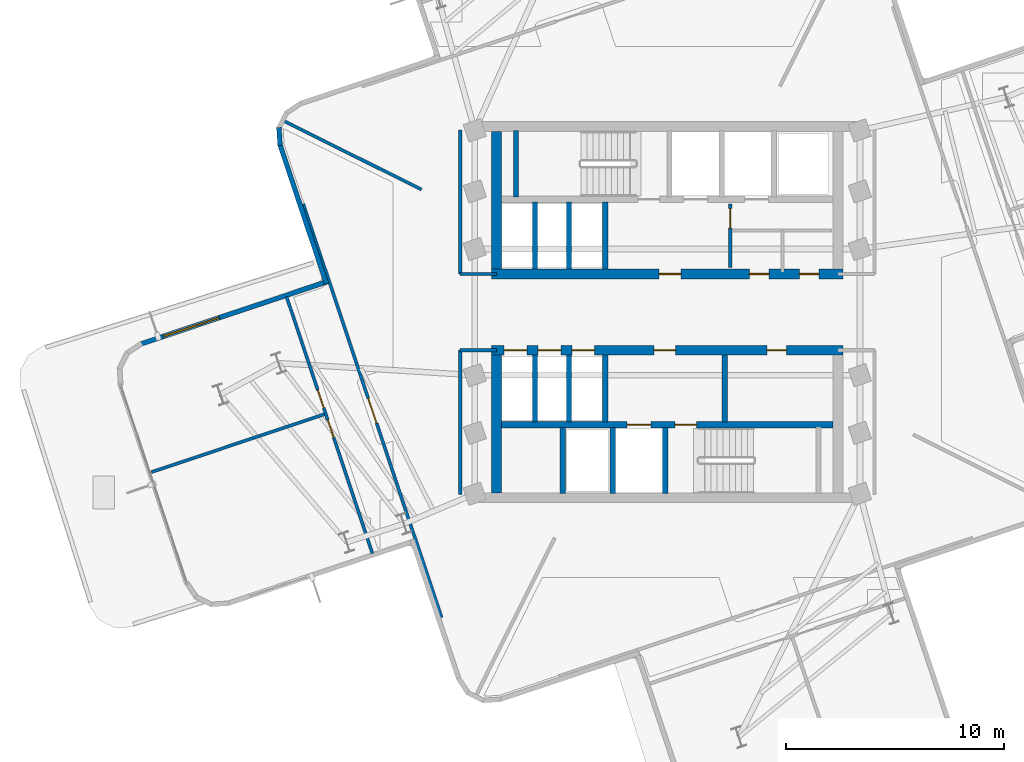
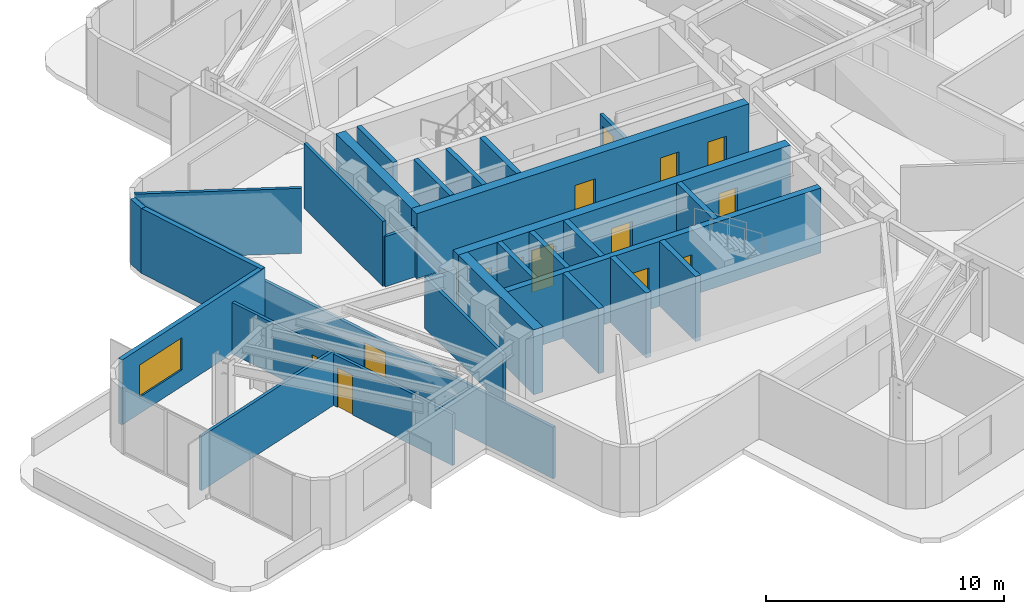
# One storey, part 6 of 11: 28 walls, 14 doors, 1 window, 15 openings.
"""IFC4 building model written with IfcOpenShell, lengths in metres."""

from ifc_helpers import new_model, si_unit, direction, frame, frame_2d, origin, place, context, subcontext, project, spatial, rectangle, extrude, material, layer, layer_set, type_object, element, fill, save


model = new_model("IFC4")

# Units and contexts
model_context = context("Model", 3, precision=1e-05, world=origin(), true_north=direction((0.0, 1.0)))
body_context = subcontext(model_context, "Body", "Model", "MODEL_VIEW")
ifc_project = project(units=[si_unit("LENGTHUNIT", "METRE"), si_unit("AREAUNIT", "SQUARE_METRE"), si_unit("VOLUMEUNIT", "CUBIC_METRE"), si_unit("PLANEANGLEUNIT", "RADIAN"), si_unit("MASSUNIT", "GRAM", prefix="KILO")], contexts=[model_context])

# Site, building, storey
site_placement = place(None, origin())
site = spatial("IfcSite", under=ifc_project, at=site_placement, CompositionType="ELEMENT")
building_placement = place(site_placement, origin())
building = spatial("IfcBuilding", under=site, at=building_placement, Name="Solmarez Civic Tower", CompositionType="ELEMENT")
storey_placement = place(building_placement, frame((0.0, 0.0, 155.8798828125)))
storey = spatial("IfcBuildingStorey", under=building, at=storey_placement, Name="L41", CompositionType="ELEMENT", Elevation=155.8798828125)

# Wall, openings, doors
ifc_material_1 = material(Name="Concrete C50/60", Category="concrete")
ifc_layer_1 = layer(ifc_material_1, 0.449951171875)
ifc_layer_set_1 = layer_set([ifc_layer_1], Name="Concrete C50/60")
wall_type_1 = type_object("IfcWallType", Name="WALL-CORE-450", PredefinedType="SHEAR", material=ifc_layer_set_1)
wall_1_placement = place(storey_placement, frame((8.070068359375, 1.75, 0.0), z_axis=(0.0, 0.0, 1.0), x_axis=(-1.0, 0.0, 0.0)))
wall_1 = element("IfcWall", 1, at=wall_1_placement, inside=storey, type_object=wall_type_1, Name="L41 Split-Core Structural Wall NCW-S-L41", PredefinedType="SHEAR", context=body_context, shape_type="SweptSolid", body=[
    extrude(rectangle(XDim=16.14013671875, YDim=0.449951171875, at=frame_2d((8.070068359375, 0.0))), origin(), (0.0, 0.0, 1.0), 3.340087890625),
])
opening_1_placement = place(wall_1_placement, frame((7.449951171875, 0.0, 0.0)))
opening_1 = element("IfcOpeningElement", 2, at=opening_1_placement, cuts=wall_1, Name="Opening D-04", PredefinedType="OPENING", context=body_context, shape_type="SweptSolid", body=[
    extrude(rectangle(XDim=1.0, YDim=2.10009765625, at=frame_2d((0.5, 1.050048828125))), frame((0.0, 0.23486328125, 0.0), z_axis=(0.0, -1.0, 0.0), x_axis=(1.0, 0.0, 0.0)), (0.0, 0.0, 1.0), 0.469970703125),
])
opening_2_placement = place(wall_1_placement, frame((3.39990234375, 0.0, 0.0)))
opening_2 = element("IfcOpeningElement", 3, at=opening_2_placement, cuts=wall_1, Name="Opening D-09", PredefinedType="OPENING", context=body_context, shape_type="SweptSolid", body=[
    extrude(rectangle(XDim=0.89990234375, YDim=2.06005859375, at=frame_2d((0.449951171875, 1.030029296875))), frame((0.0, 0.23486328125, 0.0), z_axis=(0.0, -1.0, 0.0), x_axis=(1.0, 0.0, 0.0)), (0.0, 0.0, 1.0), 0.469970703125),
])
opening_3_placement = place(wall_1_placement, frame((1.10009765625, 0.0, 0.0)))
opening_3 = element("IfcOpeningElement", 4, at=opening_3_placement, cuts=wall_1, Name="Opening D-09", PredefinedType="OPENING", context=body_context, shape_type="SweptSolid", body=[
    extrude(rectangle(XDim=0.89990234375, YDim=2.06005859375, at=frame_2d((0.449951171875, 1.030029296875))), frame((0.0, 0.23486328125, 0.0), z_axis=(0.0, -1.0, 0.0), x_axis=(1.0, 0.0, 0.0)), (0.0, 0.0, 1.0), 0.469970703125),
])
ifc_material_2 = material(Name="Steel-Faced Acoustic Fire Door", Category="steel")
door_type_1 = type_object("IfcDoorType", Name="DOOR-FD60-1000", OperationType="NOTDEFINED", PredefinedType="DOOR", material=ifc_material_2)
door_1_placement = place(opening_1_placement, origin())
door_1 = element("IfcDoor", 5, at=door_1_placement, inside=storey, type_object=door_type_1, Name="L41 North Firefighting Lobby Door", OperationType="SINGLE_SWING_RIGHT", OverallHeight=2.10009765625, OverallWidth=1.0, PredefinedType="DOOR", context=body_context, shape_type="SweptSolid", body=[
    extrude(rectangle(XDim=1.0, YDim=2.10009765625, at=frame_2d((0.5, 1.050048828125))), frame((0.0, 0.02490234375, 0.0), z_axis=(0.0, -1.0, 0.0), x_axis=(1.0, 0.0, 0.0)), (0.0, 0.0, 1.0), 0.050048828125),
])
fill(opening_1, door_1)
ifc_material_3 = material(Name="Fire-Rated Service Core Door", Category="wood")
door_type_2 = type_object("IfcDoorType", Name="DOOR-FD60-900", OperationType="NOTDEFINED", PredefinedType="DOOR", material=ifc_material_3)
door_2_placement = place(opening_2_placement, origin())
door_2 = element("IfcDoor", 6, at=door_2_placement, inside=storey, type_object=door_type_2, Name="L41 Core WC Door", OperationType="SINGLE_SWING_LEFT", OverallHeight=2.06005859375, OverallWidth=0.89990234375, PredefinedType="DOOR", context=body_context, shape_type="SweptSolid", body=[
    extrude(rectangle(XDim=0.89990234375, YDim=2.06005859375, at=frame_2d((0.449951171875, 1.030029296875))), frame((0.0, 0.02490234375, 0.0), z_axis=(0.0, -1.0, 0.0), x_axis=(1.0, 0.0, 0.0)), (0.0, 0.0, 1.0), 0.050048828125),
])
fill(opening_2, door_2)
door_3_placement = place(opening_3_placement, origin())
door_3 = element("IfcDoor", 7, at=door_3_placement, inside=storey, type_object=door_type_2, Name="L41 Core CL Door", OperationType="SINGLE_SWING_RIGHT", OverallHeight=2.06005859375, OverallWidth=0.89990234375, PredefinedType="DOOR", context=body_context, shape_type="SweptSolid", body=[
    extrude(rectangle(XDim=0.89990234375, YDim=2.06005859375, at=frame_2d((0.449951171875, 1.030029296875))), frame((0.0, 0.02490234375, 0.0), z_axis=(0.0, -1.0, 0.0), x_axis=(1.0, 0.0, 0.0)), (0.0, 0.0, 1.0), 0.050048828125),
])
fill(opening_3, door_3)

# Wall
wall_2_placement = place(storey_placement, frame((-7.844970703125, 1.97509765625, 0.0), z_axis=(0.0, 0.0, 1.0), x_axis=(0.0, 1.0, 0.0)))
element("IfcWall", 8, at=wall_2_placement, inside=storey, type_object=wall_type_1, Name="L41 Split-Core Structural Wall NCW-W-L41", PredefinedType="SHEAR", context=body_context, shape_type="SweptSolid", body=[
    extrude(rectangle(XDim=6.3349609375, YDim=0.449951171875, at=frame_2d((3.16748046875, 0.0))), origin(), (0.0, 0.0, 1.0), 3.340087890625),
])

# Wall, openings, doors
wall_3_placement = place(storey_placement, frame((-8.070068359375, -1.75, 0.0), z_axis=(0.0, 0.0, 1.0), x_axis=(1.0, 0.0, 0.0)))
wall_3 = element("IfcWall", 9, at=wall_3_placement, inside=storey, type_object=wall_type_1, Name="L41 Split-Core Structural Wall SCW-N-L41", PredefinedType="SHEAR", context=body_context, shape_type="SweptSolid", body=[
    extrude(rectangle(XDim=16.14013671875, YDim=0.449951171875, at=frame_2d((8.070068359375, 0.0))), origin(), (0.0, 0.0, 1.0), 3.340087890625),
])
opening_4_placement = place(wall_3_placement, frame((7.449951171875, 0.0, 0.0)))
opening_4 = element("IfcOpeningElement", 10, at=opening_4_placement, cuts=wall_3, Name="Opening D-04", PredefinedType="OPENING", context=body_context, shape_type="SweptSolid", body=[
    extrude(rectangle(XDim=1.0, YDim=2.10009765625, at=frame_2d((0.5, 1.050048828125))), frame((0.0, 0.23486328125, 0.0), z_axis=(0.0, -1.0, 0.0), x_axis=(1.0, 0.0, 0.0)), (0.0, 0.0, 1.0), 0.469970703125),
])
opening_5_placement = place(wall_3_placement, frame((12.64990234375, 0.0, 0.0)))
opening_5 = element("IfcOpeningElement", 11, at=opening_5_placement, cuts=wall_3, Name="Opening D-09", PredefinedType="OPENING", context=body_context, shape_type="SweptSolid", body=[
    extrude(rectangle(XDim=0.89990234375, YDim=2.06005859375, at=frame_2d((0.449951171875, 1.030029296875))), frame((0.0, 0.23486328125, 0.0), z_axis=(0.0, -1.0, 0.0), x_axis=(1.0, 0.0, 0.0)), (0.0, 0.0, 1.0), 0.469970703125),
])
opening_6_placement = place(wall_3_placement, frame((0.56494140625, 0.0, 0.0)))
opening_6 = element("IfcOpeningElement", 12, at=opening_6_placement, cuts=wall_3, Name="Opening LD-01", PredefinedType="OPENING", context=body_context, shape_type="SweptSolid", body=[
    extrude(rectangle(XDim=1.050048828125, YDim=2.14990234375, at=frame_2d((0.52490234375, 1.074951171875))), frame((0.0, 0.23486328125, 0.0), z_axis=(0.0, -1.0, 0.0), x_axis=(1.0, 0.0, 0.0)), (0.0, 0.0, 1.0), 0.469970703125),
])
opening_7_placement = place(wall_3_placement, frame((2.125, 0.0, 0.0)))
opening_7 = element("IfcOpeningElement", 13, at=opening_7_placement, cuts=wall_3, Name="Opening LD-01", PredefinedType="OPENING", context=body_context, shape_type="SweptSolid", body=[
    extrude(rectangle(XDim=1.050048828125, YDim=2.14990234375, at=frame_2d((0.52490234375, 1.074951171875))), frame((0.0, 0.23486328125, 0.0), z_axis=(0.0, -1.0, 0.0), x_axis=(1.0, 0.0, 0.0)), (0.0, 0.0, 1.0), 0.469970703125),
])
opening_8_placement = place(wall_3_placement, frame((3.68505859375, 0.0, 0.0)))
opening_8 = element("IfcOpeningElement", 14, at=opening_8_placement, cuts=wall_3, Name="Opening LD-01", PredefinedType="OPENING", context=body_context, shape_type="SweptSolid", body=[
    extrude(rectangle(XDim=1.050048828125, YDim=2.14990234375, at=frame_2d((0.52490234375, 1.074951171875))), frame((0.0, 0.23486328125, 0.0), z_axis=(0.0, -1.0, 0.0), x_axis=(1.0, 0.0, 0.0)), (0.0, 0.0, 1.0), 0.469970703125),
])
door_4_placement = place(opening_4_placement, origin())
door_4 = element("IfcDoor", 15, at=door_4_placement, inside=storey, type_object=door_type_1, Name="L41 South Firefighting Lobby Door", OperationType="SINGLE_SWING_LEFT", OverallHeight=2.10009765625, OverallWidth=1.0, PredefinedType="DOOR", context=body_context, shape_type="SweptSolid", body=[
    extrude(rectangle(XDim=1.0, YDim=2.10009765625, at=frame_2d((0.5, 1.050048828125))), frame((0.0, 0.02490234375, 0.0), z_axis=(0.0, -1.0, 0.0), x_axis=(1.0, 0.0, 0.0)), (0.0, 0.0, 1.0), 0.050048828125),
])
fill(opening_4, door_4)
door_5_placement = place(opening_5_placement, origin())
door_5 = element("IfcDoor", 16, at=door_5_placement, inside=storey, type_object=door_type_2, Name="L41 Freed Hoistway Mailroom Door", OperationType="SINGLE_SWING_LEFT", OverallHeight=2.06005859375, OverallWidth=0.89990234375, PredefinedType="DOOR", context=body_context, shape_type="SweptSolid", body=[
    extrude(rectangle(XDim=0.89990234375, YDim=2.06005859375, at=frame_2d((0.449951171875, 1.030029296875))), frame((0.0, 0.02490234375, 0.0), z_axis=(0.0, -1.0, 0.0), x_axis=(1.0, 0.0, 0.0)), (0.0, 0.0, 1.0), 0.050048828125),
])
fill(opening_5, door_5)
ifc_material_4 = material(Name="Bronze Passenger Lift Landing Sliding Door", Category="aluminium")
door_type_3 = type_object("IfcDoorType", Name="DOOR-LD-PAX-1050", OperationType="DOUBLE_DOOR_SLIDING", PredefinedType="DOOR", material=ifc_material_4)
door_6_placement = place(opening_6_placement, origin())
door_6 = element("IfcDoor", 17, at=door_6_placement, inside=storey, type_object=door_type_3, Name="L41 Mid-Rise Lift Landing Door PL-M1", OperationType="DOUBLE_DOOR_SLIDING", OverallHeight=2.14990234375, OverallWidth=1.050048828125, PredefinedType="DOOR", context=body_context, shape_type="SweptSolid", body=[
    extrude(rectangle(XDim=1.050048828125, YDim=2.14990234375, at=frame_2d((0.52490234375, 1.074951171875))), frame((0.0, 0.02490234375, 0.0), z_axis=(0.0, -1.0, 0.0), x_axis=(1.0, 0.0, 0.0)), (0.0, 0.0, 1.0), 0.050048828125),
])
fill(opening_6, door_6)
door_7_placement = place(opening_7_placement, origin())
door_7 = element("IfcDoor", 18, at=door_7_placement, inside=storey, type_object=door_type_3, Name="L41 Mid-Rise Lift Landing Door PL-M2", OperationType="DOUBLE_DOOR_SLIDING", OverallHeight=2.14990234375, OverallWidth=1.050048828125, PredefinedType="DOOR", context=body_context, shape_type="SweptSolid", body=[
    extrude(rectangle(XDim=1.050048828125, YDim=2.14990234375, at=frame_2d((0.52490234375, 1.074951171875))), frame((0.0, 0.02490234375, 0.0), z_axis=(0.0, -1.0, 0.0), x_axis=(1.0, 0.0, 0.0)), (0.0, 0.0, 1.0), 0.050048828125),
])
fill(opening_7, door_7)
door_8_placement = place(opening_8_placement, origin())
door_8 = element("IfcDoor", 19, at=door_8_placement, inside=storey, type_object=door_type_3, Name="L41 Mid-Rise Lift Landing Door PL-M3", OperationType="DOUBLE_DOOR_SLIDING", OverallHeight=2.14990234375, OverallWidth=1.050048828125, PredefinedType="DOOR", context=body_context, shape_type="SweptSolid", body=[
    extrude(rectangle(XDim=1.050048828125, YDim=2.14990234375, at=frame_2d((0.52490234375, 1.074951171875))), frame((0.0, 0.02490234375, 0.0), z_axis=(0.0, -1.0, 0.0), x_axis=(1.0, 0.0, 0.0)), (0.0, 0.0, 1.0), 0.050048828125),
])
fill(opening_8, door_8)

# Wall
wall_4_placement = place(storey_placement, frame((-7.844970703125, -8.31005859375, 0.0), z_axis=(0.0, 0.0, 1.0), x_axis=(0.0, 1.0, 0.0)))
element("IfcWall", 20, at=wall_4_placement, inside=storey, type_object=wall_type_1, Name="L41 Split-Core Structural Wall SCW-W-L41", PredefinedType="SHEAR", context=body_context, shape_type="SweptSolid", body=[
    extrude(rectangle(XDim=6.3349609375, YDim=0.449951171875, at=frame_2d((3.16748046875, 0.0))), origin(), (0.0, 0.0, 1.0), 3.340087890625),
])

# Wall, opening, window
ifc_material_5 = material(Name="Precast concrete C40/50", Category="concrete")
ifc_layer_2 = layer(ifc_material_5, 0.219970703125)
ifc_layer_set_2 = layer_set([ifc_layer_2], Name="Precast concrete C40/50")
wall_type_2 = type_object("IfcWallType", Name="WALL-EXT-220", PredefinedType="SOLIDWALL", material=ifc_layer_set_2)
wall_5_placement = place(storey_placement, frame((-24.197021484375, -1.462890625, 0.0), z_axis=(0.0, 0.0, 1.0), x_axis=(0.948337736373, 0.31726256913, 0.0)))
wall_5 = element("IfcWall", 21, at=wall_5_placement, inside=storey, type_object=wall_type_2, Name="L41 Exterior Precast Wall 10", PredefinedType="SOLIDWALL", context=body_context, shape_type="SweptSolid", body=[
    extrude(rectangle(XDim=9.05810546875, YDim=0.219970703125, at=frame_2d((4.529052734375, 0.0))), origin(), (0.0, 0.0, 1.0), 3.340087890625),
])
opening_9_placement = place(wall_5_placement, frame((1.10009765625, 0.0, 0.85009765625)))
opening_9 = element("IfcOpeningElement", 22, at=opening_9_placement, cuts=wall_5, Name="Opening W-09", PredefinedType="OPENING", context=body_context, shape_type="SweptSolid", body=[
    extrude(rectangle(XDim=2.699951171875, YDim=1.64990234375, at=frame_2d((1.35009765625, 0.824951171875))), frame((0.0, 0.119873046875, 0.0), z_axis=(0.0, -1.0, 0.0), x_axis=(1.0, 0.0, 0.0)), (0.0, 0.0, 1.0), 0.239990234375),
])
ifc_material_6 = material(Name="Solar Control Bronze-Tinted Insulating Glass", Category="glass")
window_type = type_object("IfcWindowType", Name="WIN-2700X1650", PartitioningType="SINGLE_PANEL", PredefinedType="WINDOW", material=ifc_material_6)
window_placement = place(opening_9_placement, origin())
window = element("IfcWindow", 23, at=window_placement, inside=storey, type_object=window_type, Name="L41 Exterior Facade Window 10", OverallHeight=1.64990234375, OverallWidth=2.699951171875, PartitioningType="SINGLE_PANEL", PredefinedType="WINDOW", context=body_context, shape_type="SweptSolid", body=[
    extrude(rectangle(XDim=2.699951171875, YDim=1.64990234375, at=frame_2d((1.35009765625, 0.824951171875))), frame((0.0, 0.030029296875, 0.0), z_axis=(0.0, -1.0, 0.0), x_axis=(1.0, 0.0, 0.0)), (0.0, 0.0, 1.0), 0.06005859375),
])
fill(opening_9, window)

# Walls
wall_6_placement = place(storey_placement, frame((-15.662109375, 1.300048828125, 0.0), z_axis=(0.0, 0.0, 1.0), x_axis=(-0.317224676093, 0.948350412494, 0.0)))
element("IfcWall", 24, at=wall_6_placement, inside=storey, type_object=wall_type_2, Name="L41 Exterior Precast Wall 13", PredefinedType="SOLIDWALL", context=body_context, shape_type="SweptSolid", body=[
    extrude(rectangle(XDim=6.758056640625, YDim=0.219970703125, at=frame_2d((3.37890625, 0.0))), origin(), (0.0, 0.0, 1.0), 3.340087890625),
])
wall_7_placement = place(storey_placement, frame((-17.7958984375, 7.659912109375, 0.0), z_axis=(0.0, 0.0, 1.0), x_axis=(-0.062305442082, 0.998057128569, 0.0)))
element("IfcWall", 25, at=wall_7_placement, inside=storey, type_object=wall_type_2, Name="L41 Exterior Precast Wall 14", PredefinedType="SOLIDWALL", context=body_context, shape_type="SweptSolid", body=[
    extrude(rectangle(XDim=0.834716796875, YDim=0.219970703125, at=frame_2d((0.41748046875, 0.0))), origin(), (0.0, 0.0, 1.0), 3.340087890625),
])
ifc_material_7 = material(Name="Gypsum Board Acoustic Steel-Stud Partition", Category="steel")
ifc_layer_3 = layer(ifc_material_7, 0.14990234375)
ifc_layer_set_3 = layer_set([ifc_layer_3], Name="Gypsum Board Acoustic Steel-Stud Partition")
wall_type_3 = type_object("IfcWallType", Name="WALL-INT-FIRE-150", PredefinedType="PARTITIONING", material=ifc_layer_set_3)
wall_8_placement = place(storey_placement, frame((-9.52001953125, 1.75, 0.0), z_axis=(0.0, 0.0, 1.0), x_axis=(0.0, 1.0, 0.0)))
element("IfcWall", 26, at=wall_8_placement, inside=storey, type_object=wall_type_3, Name="L41 Interior Partition CHW-L41-WN1", PredefinedType="PARTITIONING", context=body_context, shape_type="SweptSolid", body=[
    extrude(rectangle(XDim=6.6298828125, YDim=0.14990234375, at=frame_2d((3.31494140625, 0.0))), origin(), (0.0, 0.0, 1.0), 3.340087890625),
])
wall_9_placement = place(storey_placement, frame((-7.85009765625, 1.75, 0.0), z_axis=(0.0, 0.0, 1.0), x_axis=(-1.0, 0.0, 0.0)))
element("IfcWall", 27, at=wall_9_placement, inside=storey, type_object=wall_type_3, Name="L41 Interior Partition CHW-L41-WN3", PredefinedType="PARTITIONING", context=body_context, shape_type="SweptSolid", body=[
    extrude(rectangle(XDim=1.669921875, YDim=0.14990234375, at=frame_2d((0.8349609375, 0.0))), origin(), (0.0, 0.0, 1.0), 2.570068359375),
])
wall_10_placement = place(storey_placement, frame((-9.52001953125, -8.3798828125, 0.0), z_axis=(0.0, 0.0, 1.0), x_axis=(0.0, 1.0, 0.0)))
element("IfcWall", 28, at=wall_10_placement, inside=storey, type_object=wall_type_3, Name="L41 Interior Partition CHW-L41-WS1", PredefinedType="PARTITIONING", context=body_context, shape_type="SweptSolid", body=[
    extrude(rectangle(XDim=6.6298828125, YDim=0.14990234375, at=frame_2d((3.31494140625, 0.0))), origin(), (0.0, 0.0, 1.0), 2.64404296875),
])
wall_11_placement = place(storey_placement, frame((-7.85009765625, -1.75, 0.0), z_axis=(0.0, 0.0, 1.0), x_axis=(-1.0, 0.0, 0.0)))
element("IfcWall", 29, at=wall_11_placement, inside=storey, type_object=wall_type_3, Name="L41 Interior Partition CHW-L41-WS3", PredefinedType="PARTITIONING", context=body_context, shape_type="SweptSolid", body=[
    extrude(rectangle(XDim=1.669921875, YDim=0.14990234375, at=frame_2d((0.8349609375, 0.0))), origin(), (0.0, 0.0, 1.0), 2.570068359375),
])
ifc_layer_4 = layer(ifc_material_7, 0.14501953125)
ifc_layer_set_4 = layer_set([ifc_layer_4], Name="Gypsum Board Acoustic Steel-Stud Partition")
wall_type_4 = type_object("IfcWallType", Name="WALL-INT-PART-150", PredefinedType="PARTITIONING", material=ifc_layer_set_4)
wall_12_placement = place(storey_placement, frame((-11.300048828125, 5.634033203125, 0.0), z_axis=(0.0, 0.0, 1.0), x_axis=(-0.894904738475, 0.446257222972, 0.0)))
element("IfcWall", 30, at=wall_12_placement, inside=storey, type_object=wall_type_4, Name="L41 Interior Partition PT-L41-QDIV-2", PredefinedType="PARTITIONING", context=body_context, shape_type="SweptSolid", body=[
    extrude(rectangle(XDim=7.047607421875, YDim=0.14501953125, at=frame_2d((3.52392578125, 0.0))), origin(), (0.0, 0.0, 1.0), 3.340087890625),
])

# Wall, opening, door
wall_13_placement = place(storey_placement, frame((-10.3720703125, -14.037109375, 0.0), z_axis=(0.0, 0.0, 1.0), x_axis=(-0.317298382655, 0.94832575435, 0.0)))
wall_13 = element("IfcWall", 31, at=wall_13_placement, inside=storey, type_object=wall_type_4, Name="L41 Interior Partition PT-L41-W-ENT", PredefinedType="PARTITIONING", context=body_context, shape_type="SweptSolid", body=[
    extrude(rectangle(XDim=20.040771484375, YDim=0.14501953125, at=frame_2d((10.0205078125, 0.0))), origin(), (0.0, 0.0, 1.0), 2.64404296875),
])
opening_10_placement = place(wall_13_placement, frame((9.419921875, 0.0, 0.0)))
opening_10 = element("IfcOpeningElement", 32, at=opening_10_placement, cuts=wall_13, Name="Opening D-11", PredefinedType="OPENING", context=body_context, shape_type="SweptSolid", body=[
    extrude(rectangle(XDim=1.199951171875, YDim=2.10009765625, at=frame_2d((0.60009765625, 1.050048828125))), frame((0.0, 0.08251953125, 0.0), z_axis=(0.0, -1.0, 0.0), x_axis=(1.0, 0.0, 0.0)), (0.0, 0.0, 1.0), 0.1650390625),
])
ifc_material_8 = material(Name="Glazed-Vision Acoustic Chamber Door", Category="wood")
door_type_4 = type_object("IfcDoorType", Name="DOOR-INT-1200", OperationType="NOTDEFINED", PredefinedType="DOOR", material=ifc_material_8)
door_9_placement = place(opening_10_placement, origin())
door_9 = element("IfcDoor", 33, at=door_9_placement, inside=storey, type_object=door_type_4, Name="L41 Security Control Room First West Door", OperationType="SINGLE_SWING_LEFT", OverallHeight=2.10009765625, OverallWidth=1.199951171875, PredefinedType="DOOR", context=body_context, shape_type="SweptSolid", body=[
    extrude(rectangle(XDim=1.199951171875, YDim=2.10009765625, at=frame_2d((0.60009765625, 1.050048828125))), frame((0.0, 0.02490234375, 0.0), z_axis=(0.0, -1.0, 0.0), x_axis=(1.0, 0.0, 0.0)), (0.0, 0.0, 1.0), 0.050048828125),
])
fill(opening_10, door_9)

# Wall
wall_14_placement = place(storey_placement, frame((-15.7548828125, -4.69189453125, 0.0), z_axis=(0.0, 0.0, 1.0), x_axis=(-0.948309976651, -0.31734553437, 0.0)))
element("IfcWall", 34, at=wall_14_placement, inside=storey, type_object=wall_type_4, Name="L41 Interior Partition PT-L41-W-TSP", PredefinedType="PARTITIONING", context=body_context, shape_type="SweptSolid", body=[
    extrude(rectangle(XDim=8.385498046875, YDim=0.14501953125, at=frame_2d((4.19287109375, 0.0))), origin(), (0.0, 0.0, 1.0), 2.793212890625),
])

# Wall, openings, doors
wall_15_placement = place(storey_placement, frame((-17.49609375, 0.699951171875, 0.0), z_axis=(0.0, 0.0, 1.0), x_axis=(0.317299961245, -0.948325226172, 0.0)))
wall_15 = element("IfcWall", 35, at=wall_15_placement, inside=storey, type_object=wall_type_4, Name="L41 Interior Partition PT-L41-W-SCUT", PredefinedType="PARTITIONING", context=body_context, shape_type="SweptSolid", body=[
    extrude(rectangle(XDim=12.43017578125, YDim=0.14501953125, at=frame_2d((6.215087890625, 0.0))), origin(), (0.0, 0.0, 1.0), 2.64404296875),
])
opening_11_placement = place(wall_15_placement, frame((4.514892578125, 0.0, 0.0)))
opening_11 = element("IfcOpeningElement", 36, at=opening_11_placement, cuts=wall_15, Name="Opening D-14", PredefinedType="OPENING", context=body_context, shape_type="SweptSolid", body=[
    extrude(rectangle(XDim=0.860107421875, YDim=2.0400390625, at=frame_2d((0.43017578125, 1.02001953125))), frame((0.0, 0.08251953125, 0.0), z_axis=(0.0, -1.0, 0.0), x_axis=(1.0, 0.0, 0.0)), (0.0, 0.0, 1.0), 0.1650390625),
])
opening_12_placement = place(wall_15_placement, frame((5.955078125, 0.0, 0.0)))
opening_12 = element("IfcOpeningElement", 37, at=opening_12_placement, cuts=wall_15, Name="Opening D-14", PredefinedType="OPENING", context=body_context, shape_type="SweptSolid", body=[
    extrude(rectangle(XDim=0.860107421875, YDim=2.0400390625, at=frame_2d((0.43017578125, 1.02001953125))), frame((0.0, 0.08251953125, 0.0), z_axis=(0.0, -1.0, 0.0), x_axis=(1.0, 0.0, 0.0)), (0.0, 0.0, 1.0), 0.1650390625),
])
ifc_material_9 = material(Name="Timber Storage and Pantry Door", Category="wood")
door_type_5 = type_object("IfcDoorType", Name="DOOR-INT-850", OperationType="NOTDEFINED", PredefinedType="DOOR", material=ifc_material_9)
door_10_placement = place(opening_11_placement, origin())
door_10 = element("IfcDoor", 38, at=door_10_placement, inside=storey, type_object=door_type_5, Name="L41 Public Reception Room Third West Door", OperationType="SINGLE_SWING_RIGHT", OverallHeight=2.0400390625, OverallWidth=0.860107421875, PredefinedType="DOOR", context=body_context, shape_type="SweptSolid", body=[
    extrude(rectangle(XDim=0.860107421875, YDim=2.0400390625, at=frame_2d((0.43017578125, 1.02001953125))), frame((0.0, 0.02490234375, 0.0), z_axis=(0.0, -1.0, 0.0), x_axis=(1.0, 0.0, 0.0)), (0.0, 0.0, 1.0), 0.050048828125),
])
fill(opening_11, door_10)
door_11_placement = place(opening_12_placement, origin())
door_11 = element("IfcDoor", 39, at=door_11_placement, inside=storey, type_object=door_type_5, Name="L41 Ministry Conference Room Second West Door", OperationType="SINGLE_SWING_LEFT", OverallHeight=2.0400390625, OverallWidth=0.860107421875, PredefinedType="DOOR", context=body_context, shape_type="SweptSolid", body=[
    extrude(rectangle(XDim=0.860107421875, YDim=2.0400390625, at=frame_2d((0.43017578125, 1.02001953125))), frame((0.0, 0.02490234375, 0.0), z_axis=(0.0, -1.0, 0.0), x_axis=(1.0, 0.0, 0.0)), (0.0, 0.0, 1.0), 0.050048828125),
])
fill(opening_12, door_11)

# Wall, opening, door
ifc_layer_5 = layer(ifc_material_7, 0.159912109375)
ifc_layer_set_5 = layer_set([ifc_layer_5], Name="Gypsum Board Acoustic Steel-Stud Partition")
wall_type_5 = type_object("IfcWallType", Name="WALL-INT-SHAFT-160", PredefinedType="PARTITIONING", material=ifc_layer_set_5)
wall_16_placement = place(storey_placement, frame((2.89990234375, 2.0400390625, 0.0), z_axis=(0.0, 0.0, 1.0), x_axis=(0.0, 1.0, 0.0)))
wall_16 = element("IfcWall", 40, at=wall_16_placement, inside=storey, type_object=wall_type_5, Name="L41 Interior Partition SHW-NL2-L41", PredefinedType="PARTITIONING", context=body_context, shape_type="SweptSolid", body=[
    extrude(rectangle(XDim=2.93994140625, YDim=0.159912109375, at=frame_2d((1.469970703125, 0.0))), origin(), (0.0, 0.0, 1.0), 2.570068359375),
])
opening_13_placement = place(wall_16_placement, frame((1.820068359375, 0.0, 0.0)))
opening_13 = element("IfcOpeningElement", 41, at=opening_13_placement, cuts=wall_16, Name="Opening D-09", PredefinedType="OPENING", context=body_context, shape_type="SweptSolid", body=[
    extrude(rectangle(XDim=0.89990234375, YDim=2.06005859375, at=frame_2d((0.449951171875, 1.030029296875))), frame((0.0, 0.08984375, 0.0), z_axis=(0.0, -1.0, 0.0), x_axis=(1.0, 0.0, 0.0)), (0.0, 0.0, 1.0), 0.179931640625),
])
door_12_placement = place(opening_13_placement, origin())
door_12 = element("IfcDoor", 42, at=door_12_placement, inside=storey, type_object=door_type_2, Name="L41 Service Lift Lobby Door", OperationType="SINGLE_SWING_LEFT", OverallHeight=2.06005859375, OverallWidth=0.89990234375, PredefinedType="DOOR", context=body_context, shape_type="SweptSolid", body=[
    extrude(rectangle(XDim=0.89990234375, YDim=2.06005859375, at=frame_2d((0.449951171875, 1.030029296875))), frame((0.0, 0.02490234375, 0.0), z_axis=(0.0, -1.0, 0.0), x_axis=(1.0, 0.0, 0.0)), (0.0, 0.0, 1.0), 0.050048828125),
])
fill(opening_13, door_12)

# Wall, openings, doors
ifc_layer_6 = layer(ifc_material_1, 0.300048828125)
ifc_layer_set_6 = layer_set([ifc_layer_6], Name="Concrete C50/60")
wall_type_6 = type_object("IfcWallType", Name="WALL-STR-300", PredefinedType="SOLIDWALL", material=ifc_layer_set_6)
wall_17_placement = place(storey_placement, frame((-7.6201171875, -5.179931640625, 0.0), z_axis=(0.0, 0.0, 1.0), x_axis=(1.0, 0.0, 0.0)))
wall_17 = element("IfcWall", 43, at=wall_17_placement, inside=storey, type_object=wall_type_6, Name="L41 Split-Core Structural Wall SCW-M-L41", PredefinedType="SOLIDWALL", context=body_context, shape_type="SweptSolid", body=[
    extrude(rectangle(XDim=15.240234375, YDim=0.300048828125, at=frame_2d((7.6201171875, 0.0))), origin(), (0.0, 0.0, 1.0), 3.340087890625),
])
opening_14_placement = place(wall_17_placement, frame((5.77001953125, 0.0, 0.0)))
opening_14 = element("IfcOpeningElement", 44, at=opening_14_placement, cuts=wall_17, Name="Opening LD-02", PredefinedType="OPENING", context=body_context, shape_type="SweptSolid", body=[
    extrude(rectangle(XDim=1.10009765625, YDim=2.14990234375, at=frame_2d((0.550048828125, 1.074951171875))), frame((0.0, 0.159912109375, 0.0), z_axis=(0.0, -1.0, 0.0), x_axis=(1.0, 0.0, 0.0)), (0.0, 0.0, 1.0), 0.320068359375),
])
opening_15_placement = place(wall_17_placement, frame((7.969970703125, 0.0, 0.0)))
opening_15 = element("IfcOpeningElement", 45, at=opening_15_placement, cuts=wall_17, Name="Opening D-05", PredefinedType="OPENING", context=body_context, shape_type="SweptSolid", body=[
    extrude(rectangle(XDim=1.0, YDim=2.10009765625, at=frame_2d((0.5, 1.050048828125))), frame((0.0, 0.159912109375, 0.0), z_axis=(0.0, -1.0, 0.0), x_axis=(1.0, 0.0, 0.0)), (0.0, 0.0, 1.0), 0.320068359375),
])
ifc_material_10 = material(Name="Fire-Rated Stairwell Exit Door", Category="wood")
door_type_6 = type_object("IfcDoorType", Name="DOOR-FD90-1000", OperationType="NOTDEFINED", PredefinedType="DOOR", material=ifc_material_10)
door_13_placement = place(opening_15_placement, origin())
door_13 = element("IfcDoor", 46, at=door_13_placement, inside=storey, type_object=door_type_6, Name="L41 South Exit Stair Door ST-2", OperationType="SINGLE_SWING_LEFT", OverallHeight=2.10009765625, OverallWidth=1.0, PredefinedType="DOOR", context=body_context, shape_type="SweptSolid", body=[
    extrude(rectangle(XDim=1.0, YDim=2.10009765625, at=frame_2d((0.5, 1.050048828125))), frame((0.0, 0.02490234375, 0.0), z_axis=(0.0, -1.0, 0.0), x_axis=(1.0, 0.0, 0.0)), (0.0, 0.0, 1.0), 0.050048828125),
])
fill(opening_15, door_13)
ifc_material_11 = material(Name="Stainless Firefighting Lift Landing Sliding Door", Category="aluminium")
door_type_7 = type_object("IfcDoorType", Name="DOOR-LD-FF-1100", OperationType="DOUBLE_DOOR_SLIDING", PredefinedType="DOOR", material=ifc_material_11)
door_14_placement = place(opening_14_placement, origin())
door_14 = element("IfcDoor", 47, at=door_14_placement, inside=storey, type_object=door_type_7, Name="L41 Firefighting Lift Landing Door FFL-2", OperationType="DOUBLE_DOOR_SLIDING", OverallHeight=2.14990234375, OverallWidth=1.10009765625, PredefinedType="DOOR", context=body_context, shape_type="SweptSolid", body=[
    extrude(rectangle(XDim=1.10009765625, YDim=2.14990234375, at=frame_2d((0.550048828125, 1.074951171875))), frame((0.0, 0.02490234375, 0.0), z_axis=(0.0, -1.0, 0.0), x_axis=(1.0, 0.0, 0.0)), (0.0, 0.0, 1.0), 0.050048828125),
])
fill(opening_14, door_14)

# Walls
wall_18_placement = place(storey_placement, frame((-6.949951171875, 5.280029296875, 0.0), z_axis=(0.0, 0.0, 1.0), x_axis=(0.0, 1.0, 0.0)))
element("IfcWall", 48, at=wall_18_placement, inside=storey, type_object=wall_type_6, Name="L41 Split-Core Structural Wall SHW-NW-L41", PredefinedType="SOLIDWALL", context=body_context, shape_type="SweptSolid", body=[
    extrude(rectangle(XDim=3.06005859375, YDim=0.219970703125, at=frame_2d((1.530029296875, 0.0))), origin(), (0.0, 0.0, 1.0), 3.340087890625),
])
wall_19_placement = place(storey_placement, frame((-2.85009765625, 1.97998046875, 0.0), z_axis=(0.0, 0.0, 1.0), x_axis=(0.0, 1.0, 0.0)))
element("IfcWall", 49, at=wall_19_placement, inside=storey, type_object=wall_type_6, Name="L41 Split-Core Structural Wall SHW-NL1-L41", PredefinedType="SOLIDWALL", context=body_context, shape_type="SweptSolid", body=[
    extrude(rectangle(XDim=3.070068359375, YDim=0.25, at=frame_2d((1.53515625, 0.0))), origin(), (0.0, 0.0, 1.0), 3.340087890625),
])
for number, where, z_axis, x_axis, name in (
    (50, (-0.10009765625, -8.340087890625, 0.0), (0.0, 0.0, 1.0), (0.0, 1.0, 0.0), "L41 Split-Core Structural Wall SHW-S1-L41"),
    (51, (-2.5, -8.340087890625, 0.0), (0.0, 0.0, 1.0), (0.0, 1.0, 0.0), "L41 Split-Core Structural Wall SHW-S2-L41"),
    (52, (-4.800048828125, -8.340087890625, 0.0), (0.0, 0.0, 1.0), (0.0, 1.0, 0.0), "L41 Split-Core Structural Wall SHW-S3-L41"),
):
    element("IfcWall", number, at=place(storey_placement, frame(where, z_axis=z_axis, x_axis=x_axis)), inside=storey, type_object=wall_type_6, Name=name, PredefinedType="SOLIDWALL", context=body_context, shape_type="SweptSolid", body=[
        extrude(rectangle(XDim=3.0400390625, YDim=0.25, at=frame_2d((1.52001953125, 0.0))), origin(), (0.0, 0.0, 1.0), 3.340087890625),
    ])
for number, where, z_axis, x_axis, name in (
    (53, (-2.85009765625, -5.050048828125, 0.0), (0.0, 0.0, 1.0), (0.0, 1.0, 0.0), "L41 Split-Core Structural Wall SHW-SL1-L41"),
    (54, (2.64990234375, -5.050048828125, 0.0), (0.0, 0.0, 1.0), (0.0, 1.0, 0.0), "L41 Split-Core Structural Wall SHW-SL2-L41"),
):
    element("IfcWall", number, at=place(storey_placement, frame(where, z_axis=z_axis, x_axis=x_axis)), inside=storey, type_object=wall_type_6, Name=name, PredefinedType="SOLIDWALL", context=body_context, shape_type="SweptSolid", body=[
        extrude(rectangle(XDim=3.070068359375, YDim=0.25, at=frame_2d((1.53515625, 0.0))), origin(), (0.0, 0.0, 1.0), 3.340087890625),
    ])
for number, where, z_axis, x_axis, name in (
    (55, (-6.080078125, 1.97998046875, 0.0), (0.0, 0.0, 1.0), (0.0, 1.0, 0.0), "L41 Split-Core Structural Wall SHW-PLH-L41-1"),
    (56, (-4.52001953125, 1.97998046875, 0.0), (0.0, 0.0, 1.0), (0.0, 1.0, 0.0), "L41 Split-Core Structural Wall SHW-PLH-L41-2"),
    (57, (-6.080078125, -5.050048828125, 0.0), (0.0, 0.0, 1.0), (0.0, 1.0, 0.0), "L41 Split-Core Structural Wall SHW-PLM-L41-1"),
    (58, (-4.52001953125, -5.050048828125, 0.0), (0.0, 0.0, 1.0), (0.0, 1.0, 0.0), "L41 Split-Core Structural Wall SHW-PLM-L41-2"),
):
    element("IfcWall", number, at=place(storey_placement, frame(where, z_axis=z_axis, x_axis=x_axis)), inside=storey, type_object=wall_type_6, Name=name, PredefinedType="SOLIDWALL", context=body_context, shape_type="SweptSolid", body=[
        extrude(rectangle(XDim=3.070068359375, YDim=0.219970703125, at=frame_2d((1.53515625, 0.0))), origin(), (0.0, 0.0, 1.0), 3.340087890625),
    ])

save(model, "model.ifc")
